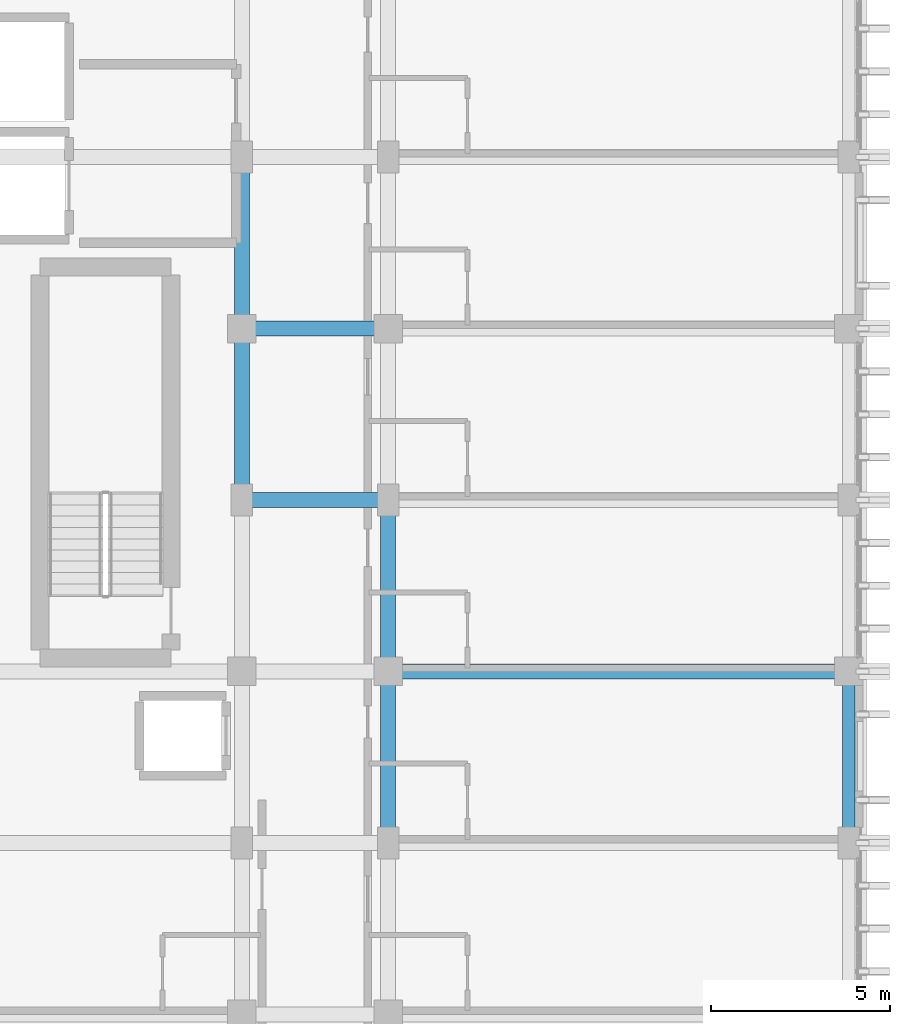
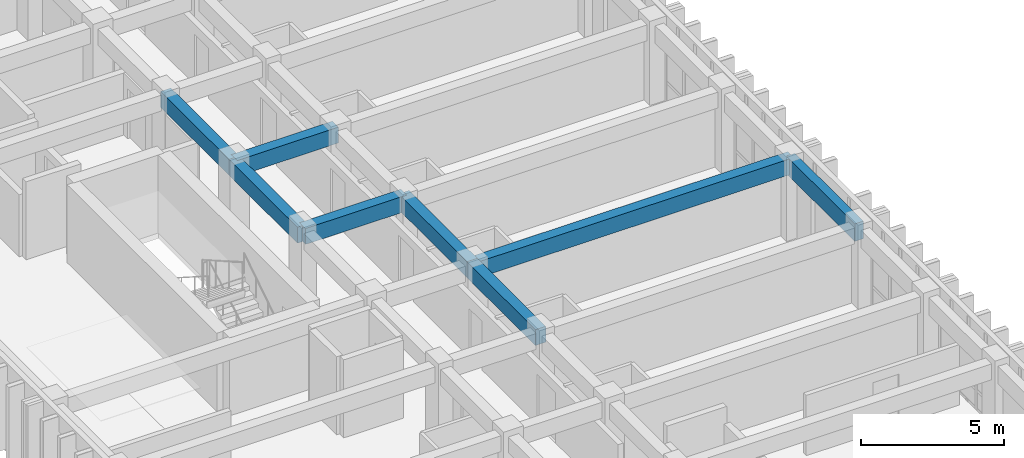
# One storey, part 32 of 82: 8 beams.
"""IFC4 building model written with IfcOpenShell, lengths in metres."""

from ifc_helpers import new_model, si_unit, direction, frame, origin, origin_2d, place, context, subcontext, project, spatial, rectangle, extrude, material, material_profile, profile_set, type_object, element, save


model = new_model("IFC4")

# Units and contexts
model_context = context("Model", 3, precision=1e-05, world=origin(), true_north=direction((0.0, 1.0)))
body_context = subcontext(model_context, "Body", "Model", "MODEL_VIEW")
ifc_project = project(units=[si_unit("LENGTHUNIT", "METRE"), si_unit("AREAUNIT", "SQUARE_METRE"), si_unit("VOLUMEUNIT", "CUBIC_METRE"), si_unit("PLANEANGLEUNIT", "RADIAN"), si_unit("MASSUNIT", "GRAM", prefix="KILO")], contexts=[model_context])

# Site, building, storey
site_placement = place(None, origin())
site = spatial("IfcSite", under=ifc_project, at=site_placement, CompositionType="ELEMENT")
building_placement = place(site_placement, origin())
building = spatial("IfcBuilding", under=site, at=building_placement, Name="Nakhvara Creek Congress Hotel", CompositionType="ELEMENT")
storey_placement = place(building_placement, frame((0.0, 0.0, 21.0)))
storey = spatial("IfcBuildingStorey", under=building, at=storey_placement, Name="L04", CompositionType="ELEMENT", Elevation=21.0)

# Beams
ifc_material = material(Name="Concrete C40/50", Category="concrete")
ifc_material_profile_1 = material_profile(ifc_material, rectangle(XDim=0.419921875, YDim=0.679931640625, at=origin_2d()), Name="RC-BM 420x680", Category="LoadBearing")
ifc_profile_set_1 = profile_set([ifc_material_profile_1], Name="Concrete C40/50")
beam_type_1 = type_object("IfcBeamType", Name="BM-RC-420X680", PredefinedType="BEAM", material=ifc_profile_set_1)
beam_1_placement = place(storey_placement, frame((162.35009765625, 86.39990234375, 3.0), z_axis=(1.0, 0.0, 0.0), x_axis=(0.0, 1.0, 0.0)))
element("IfcBeam", 1, at=beam_1_placement, inside=storey, type_object=beam_type_1, Name="Beam B11-L04-1961", PredefinedType="BEAM", context=body_context, shape_type="SweptSolid", body=[
    extrude(rectangle(XDim=0.419921875, YDim=0.679931640625, at=origin_2d()), origin(), (0.0, 0.0, 1.0), 4.099853515625),
])
beam_2_placement = place(storey_placement, frame((162.35009765625, 81.60009765625, 3.0), z_axis=(0.0, 1.0, 0.0), x_axis=(-1.0, 0.0, 0.0)))
element("IfcBeam", 2, at=beam_2_placement, inside=storey, type_object=beam_type_1, Name="Beam B11-L04-1962", PredefinedType="BEAM", context=body_context, shape_type="SweptSolid", body=[
    extrude(rectangle(XDim=0.419921875, YDim=0.679931640625, at=origin_2d()), origin(), (0.0, 0.0, 1.0), 4.7998046875),
])
beam_3_placement = place(storey_placement, frame((162.35009765625, 86.39990234375, 3.0), z_axis=(0.0, 1.0, 0.0), x_axis=(-1.0, 0.0, 0.0)))
element("IfcBeam", 3, at=beam_3_placement, inside=storey, type_object=beam_type_1, Name="Beam B11-L04-1963", PredefinedType="BEAM", context=body_context, shape_type="SweptSolid", body=[
    extrude(rectangle(XDim=0.419921875, YDim=0.679931640625, at=origin_2d()), origin(), (0.0, 0.0, 1.0), 4.800048828125),
])
beam_4_placement = place(storey_placement, frame((166.449951171875, 76.800048828125, 3.0), z_axis=(1.0, 0.0, 0.0), x_axis=(0.0, 1.0, 0.0)))
element("IfcBeam", 4, at=beam_4_placement, inside=storey, type_object=beam_type_1, Name="Beam B11-L04-1990", PredefinedType="BEAM", context=body_context, shape_type="SweptSolid", body=[
    extrude(rectangle(XDim=0.419921875, YDim=0.679931640625, at=origin_2d()), origin(), (0.0, 0.0, 1.0), 12.900146484375),
])
for number, where, z_axis, x_axis, name in (
    (5, (166.449951171875, 72.0, 3.0), (0.0, 1.0, 0.0), (-1.0, 0.0, 0.0), "Beam B11-L04-1991"),
    (6, (166.449951171875, 76.800048828125, 3.0), (0.0, 1.0, 0.0), (-1.0, 0.0, 0.0), "Beam B11-L04-1992"),
):
    element("IfcBeam", number, at=place(storey_placement, frame(where, z_axis=z_axis, x_axis=x_axis)), inside=storey, type_object=beam_type_1, Name=name, PredefinedType="BEAM", context=body_context, shape_type="SweptSolid", body=[
        extrude(rectangle(XDim=0.419921875, YDim=0.679931640625, at=origin_2d()), origin(), (0.0, 0.0, 1.0), 4.800048828125),
    ])
beam_5_placement = place(storey_placement, frame((162.35009765625, 81.60009765625, 3.0), z_axis=(1.0, 0.0, 0.0), x_axis=(0.0, 1.0, 0.0)))
element("IfcBeam", 7, at=beam_5_placement, inside=storey, type_object=beam_type_1, Name="Beam B11-L04-2044", PredefinedType="BEAM", context=body_context, shape_type="SweptSolid", body=[
    extrude(rectangle(XDim=0.419921875, YDim=0.679931640625, at=origin_2d()), origin(), (0.0, 0.0, 1.0), 4.099853515625),
])
ifc_material_profile_2 = material_profile(ifc_material, rectangle(XDim=0.35009765625, YDim=0.75, at=origin_2d()), Name="RC-SPANDREL 350x750", Category="LoadBearing")
ifc_profile_set_2 = profile_set([ifc_material_profile_2], Name="Concrete C40/50")
beam_type_2 = type_object("IfcBeamType", Name="BM-SPN-350X750", PredefinedType="SPANDREL", material=ifc_profile_set_2)
beam_6_placement = place(storey_placement, frame((179.35009765625, 72.0, 2.965087890625), z_axis=(0.0, 1.0, 0.0), x_axis=(-1.0, 0.0, 0.0)))
element("IfcBeam", 8, at=beam_6_placement, inside=storey, type_object=beam_type_2, Name="Beam SP1-L04-2018", PredefinedType="SPANDREL", context=body_context, shape_type="SweptSolid", body=[
    extrude(rectangle(XDim=0.35009765625, YDim=0.75, at=origin_2d()), origin(), (0.0, 0.0, 1.0), 4.800048828125),
])

save(model, "model.ifc")
